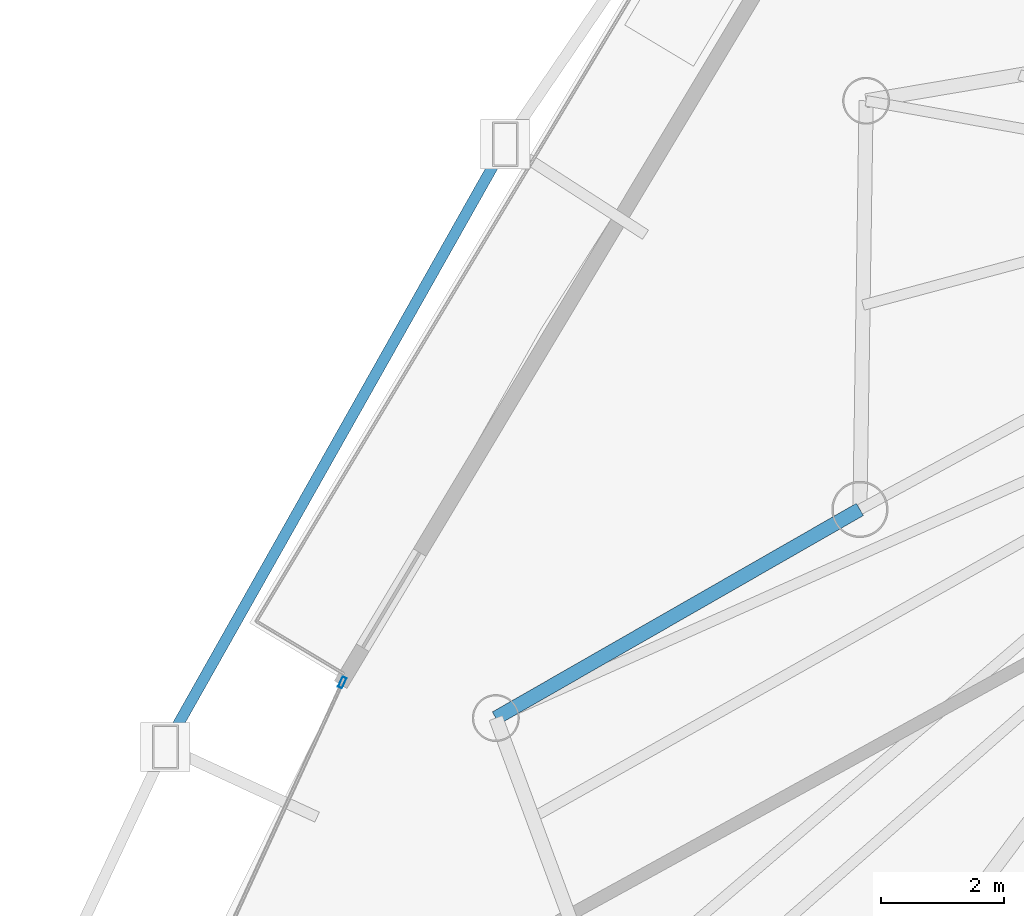
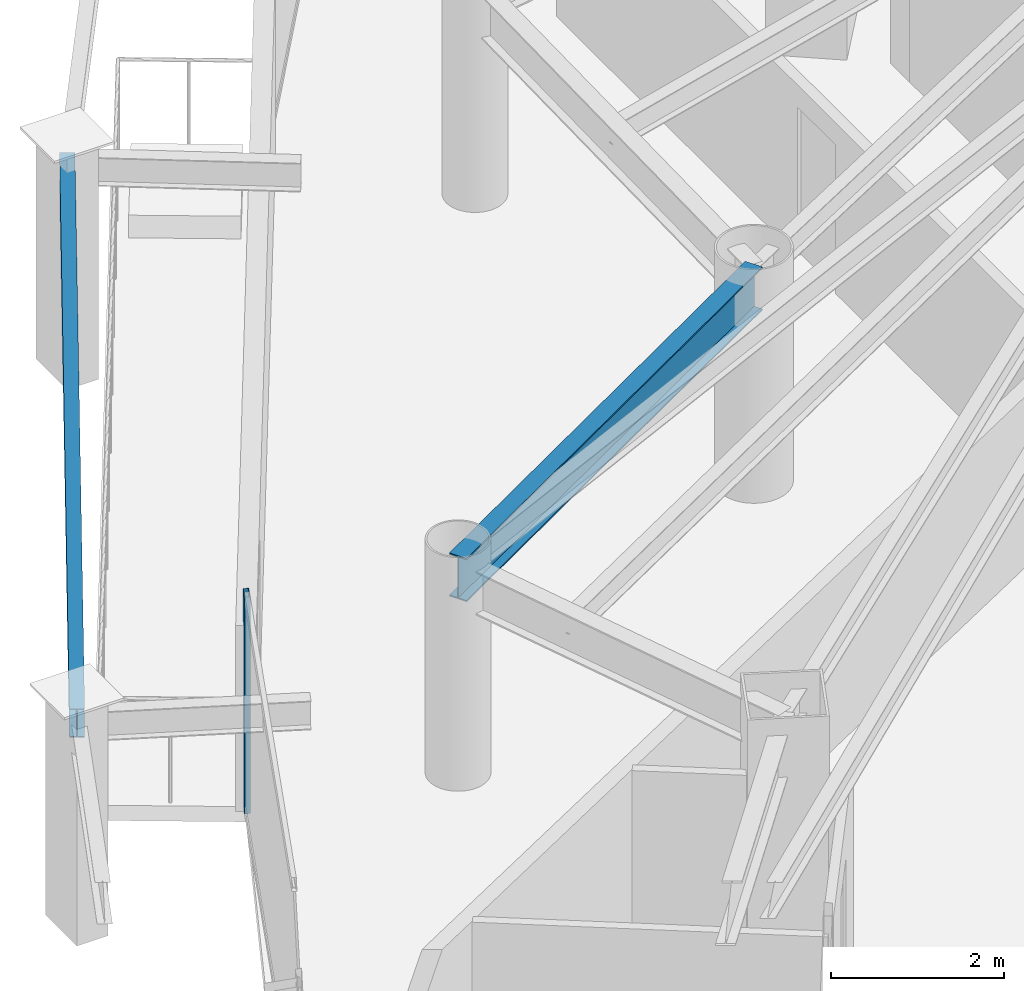
# One storey, part 11 of 35: 2 beams, 1 member, 1 element without a shape of its own.
"""IFC4 building model written with IfcOpenShell, lengths in metres."""

from ifc_helpers import new_model, si_unit, direction, frame, origin, origin_2d, place, context, subcontext, project, spatial, hollow_rectangle, i_section, extrude, material, layer, layer_set, material_profile, profile_set, type_object, element, aggregate, save


model = new_model("IFC4")

# Units and contexts
model_context = context("Model", 3, precision=1e-05, world=origin(), true_north=direction((0.0, 1.0)))
body_context = subcontext(model_context, "Body", "Model", "MODEL_VIEW")
ifc_project = project(units=[si_unit("LENGTHUNIT", "METRE"), si_unit("AREAUNIT", "SQUARE_METRE"), si_unit("VOLUMEUNIT", "CUBIC_METRE"), si_unit("PLANEANGLEUNIT", "RADIAN"), si_unit("MASSUNIT", "GRAM", prefix="KILO")], contexts=[model_context])

# Site, building, storey
site_placement = place(None, origin())
site = spatial("IfcSite", under=ifc_project, at=site_placement, CompositionType="ELEMENT")
building_placement = place(site_placement, origin())
building = spatial("IfcBuilding", under=site, at=building_placement, Name="Orvanel Arch Residences", CompositionType="ELEMENT")
storey_placement = place(building_placement, frame((0.0, 0.0, 30.199951171875)))
storey = spatial("IfcBuildingStorey", under=building, at=storey_placement, Name="L07", CompositionType="ELEMENT", Elevation=30.199951171875)

# Curtain wall, member
ifc_material_1 = material(Name="Bronze-anodised aluminium AA6063-T6", Category="aluminium")
ifc_layer = layer(ifc_material_1, 0.179931640625)
ifc_layer_set = layer_set([ifc_layer], Name="Bronze-anodised aluminium AA6063-T6")
curtain_wall_type = type_object("IfcCurtainWallType", Name="CW2-LOW-SYS", PredefinedType="NOTDEFINED", material=ifc_layer_set)
curtain_wall_placement = place(storey_placement, origin())
curtain_wall = element("IfcCurtainWall", 1, at=curtain_wall_placement, inside=storey, type_object=curtain_wall_type, Name="L07 CW2-LOW-SYS Unitised Curtain Wall", PredefinedType="NOTDEFINED")
ifc_material_profile_1 = material_profile(ifc_material_1, hollow_rectangle(XDim=0.070068359375, YDim=0.179931640625, WallThickness=0.00439453125, at=origin_2d()), Name="ALU180x70x4.5")
ifc_profile_set_1 = profile_set([ifc_material_profile_1], Name="Bronze-anodised aluminium AA6063-T6")
member_type = type_object("IfcMemberType", Name="MUL-180x70", PredefinedType="MULLION", material=ifc_profile_set_1)
member_placement = place(storey_placement, frame((12.17041015625, 24.833251953125, 0.0), z_axis=(0.0, 0.0, 1.0), x_axis=(0.909015042916, -0.416763304229, 0.0)))
member = element("IfcMember", 2, at=member_placement, type_object=member_type, Name="CW-S2 mullion 1", PredefinedType="MULLION", context=body_context, shape_type="SweptSolid", body=[
    extrude(hollow_rectangle(XDim=0.070068359375, YDim=0.179931640625, WallThickness=0.00439453125, at=origin_2d()), origin(), (0.0, 0.0, 1.0), 3.06005859375),
])
aggregate(curtain_wall, [member])

# Beams
ifc_material_2 = material(Name="Structural steel AS/NZS 3679.1 Grade 300 (300 MPa)", Category="steel")
ifc_material_profile_2 = material_profile(ifc_material_2, i_section(OverallWidth=0.177978515625, OverallDepth=0.406005859375, WebThickness=0.0078125, FlangeThickness=0.0126953125, at=origin_2d()), Name="410UB59.7")
ifc_profile_set_2 = profile_set([ifc_material_profile_2], Name="Structural steel AS/NZS 3679.1 Grade 300 (300 MPa)")
beam_type_1 = type_object("IfcBeamType", Name="OB-410UB-EXT", PredefinedType="SPANDREL", material=ifc_profile_set_2)
beam_1_placement = place(storey_placement, frame((14.81494140625, 33.56494140625, 2.85693359375), z_axis=(-0.491266615184, -0.871009249552, 0.0), x_axis=(0.871009249552, -0.491266615184, 0.0)))
element("IfcBeam", 3, at=beam_1_placement, inside=storey, type_object=beam_type_1, Name="L07 Outer Perimeter Floor Ring Beam 02", PredefinedType="SPANDREL", context=body_context, shape_type="SweptSolid", body=[
    extrude(i_section(OverallWidth=0.177978515625, OverallDepth=0.406005859375, WebThickness=0.0078125, FlangeThickness=0.0126953125, at=origin_2d()), origin(), (0.0, 0.0, 1.0), 11.225830078125),
])
ifc_material_profile_3 = material_profile(ifc_material_2, i_section(OverallWidth=0.22900390625, OverallDepth=0.612060546875, WebThickness=0.011962890625, FlangeThickness=0.01953125, at=origin_2d()), Name="610UB125")
ifc_profile_set_3 = profile_set([ifc_material_profile_3], Name="Structural steel AS/NZS 3679.1 Grade 300 (300 MPa)")
beam_type_2 = type_object("IfcBeamType", Name="SP-610UB", PredefinedType="SPANDREL", material=ifc_profile_set_3)
beam_2_placement = place(storey_placement, frame((20.569091796875, 27.64111328125, 2.754150390625), z_axis=(-0.867635629025, -0.497200578485, 0.0), x_axis=(0.497200578485, -0.867635629025, 0.0)))
element("IfcBeam", 4, at=beam_2_placement, inside=storey, type_object=beam_type_2, Name="L07 Perimeter Spandrel Beam 21", PredefinedType="SPANDREL", context=body_context, shape_type="SweptSolid", body=[
    extrude(i_section(OverallWidth=0.22900390625, OverallDepth=0.612060546875, WebThickness=0.011962890625, FlangeThickness=0.01953125, at=origin_2d()), origin(), (0.0, 0.0, 1.0), 6.80810546875),
])

save(model, "model.ifc")
